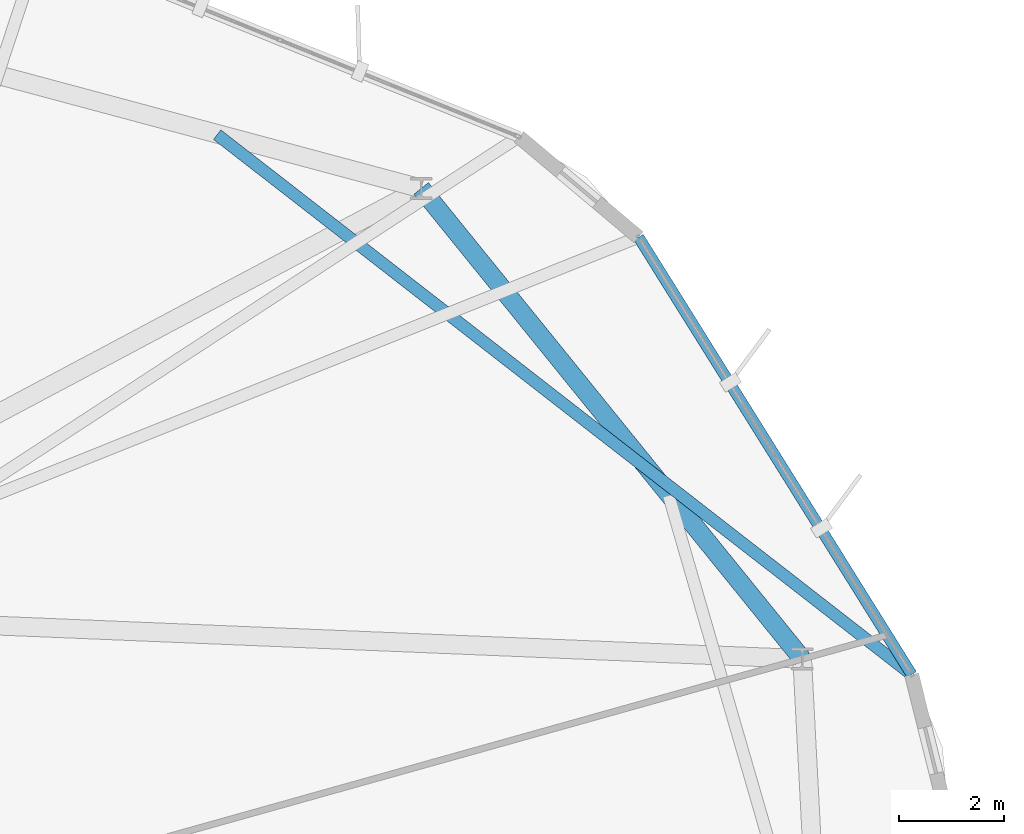
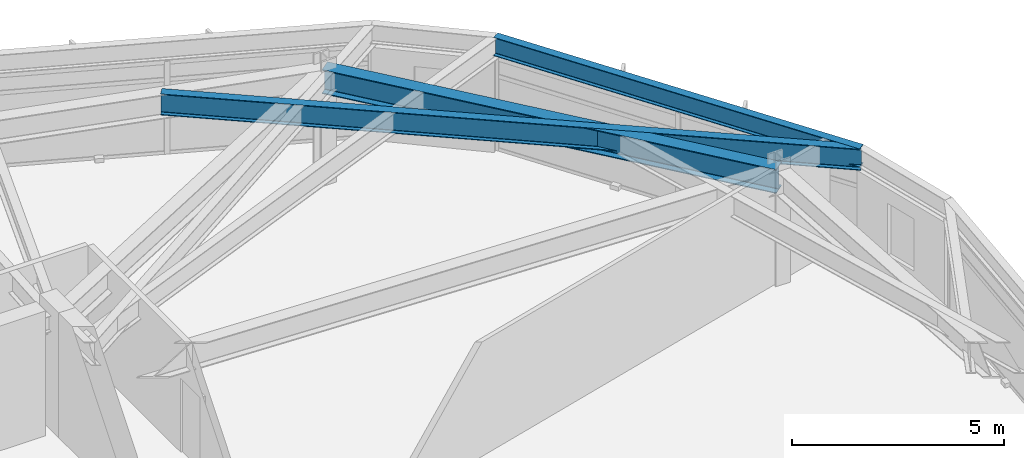
# One storey, part 15 of 23: 3 beams.
"""IFC4 building model written with IfcOpenShell, lengths in metres."""

import ifcopenshell
import ifcopenshell.guid

model = None  # the IFC model being written
_history = None  # IfcOwnerHistory: only IFC2X3 demands one
_inside = {}  # id of a spatial element -> (the spatial element, [elements in it])
_under = {}  # id of a project, library or spatial element -> (it, [spatial elements below it])
_declared = {}  # id of a project -> (the project, [libraries it declares])
_typed = {}  # id of a type object -> (the type object, [elements of that type])
_made_of = {}  # id of a material, layer set ... -> (it, [elements and type objects made of it])


def new_model(schema):
    """Start an empty IFC model of exactly this schema.

    Asked for "IFC4X3", IfcOpenShell would pick the latest addendum, in which some entities
    have other attributes; the version numbers below select the first issue.
    IFC2X3 requires an IfcOwnerHistory on every rooted entity: one is made here for all.
    """
    global model, _history
    if schema == "IFC4X3":
        model = ifcopenshell.file(schema_version=(4, 3, 0, 0))
    else:
        model = ifcopenshell.file(schema=schema)
    _inside.clear()
    _under.clear()
    _declared.clear()
    _typed.clear()
    _made_of.clear()
    _history = None
    if model.schema == "IFC2X3":
        org = make("IfcOrganization", Name="unknown")
        user = make(
            "IfcPersonAndOrganization",
            ThePerson=make("IfcPerson", FamilyName="unknown"),
            TheOrganization=org,
        )
        app = make(
            "IfcApplication",
            ApplicationDeveloper=org,
            Version="unknown",
            ApplicationFullName="unknown",
            ApplicationIdentifier="unknown",
        )
        _history = make(
            "IfcOwnerHistory",
            OwningUser=user,
            OwningApplication=app,
            ChangeAction="ADDED",
            CreationDate=0,
        )
    return model


def make(cls, **values):
    """One entity of the class cls with the attributes given. An attribute that is None is left unset."""
    return model.create_entity(
        cls, **{name: value for name, value in values.items() if value is not None}
    )


def rooted(cls, **values):
    """An entity with a GlobalId (a new one), such as an element, a storey or a relation."""
    return make(cls, GlobalId=ifcopenshell.guid.new(), OwnerHistory=_history, **values)


def si_unit(unit_type, name, prefix=None):
    """IfcSIUnit, for example si_unit("LENGTHUNIT", "METRE", prefix="MILLI")."""
    return make("IfcSIUnit", UnitType=unit_type, Prefix=prefix, Name=name)


def assignment(units):
    """IfcUnitAssignment: the units of a project."""
    return None if units is None else make("IfcUnitAssignment", Units=units)


def point(xyz):
    """IfcCartesianPoint."""
    return None if xyz is None else make("IfcCartesianPoint", Coordinates=xyz)


def direction(xyz):
    """IfcDirection."""
    return None if xyz is None else make("IfcDirection", DirectionRatios=xyz)


def frame(location, z_axis=None, x_axis=None):
    """IfcAxis2Placement3D, a coordinate frame: its origin and axes. An axis left out is left unset."""
    return make(
        "IfcAxis2Placement3D",
        Location=point(location),
        Axis=direction(z_axis),
        RefDirection=direction(x_axis),
    )


def frame_2d(location, x_axis=None):
    """IfcAxis2Placement2D, a coordinate frame in the plane: its origin and x axis."""
    return make(
        "IfcAxis2Placement2D", Location=point(location), RefDirection=direction(x_axis)
    )


def origin():
    """The frame at (0, 0, 0) with its axes left unset."""
    return frame((0.0, 0.0, 0.0))


def origin_2d():
    """The frame at (0, 0) in the plane with its x axis left unset."""
    return frame_2d((0.0, 0.0))


def place(relative_to, where):
    """IfcLocalPlacement: puts the frame where relative to a parent placement (None: the world)."""
    return make(
        "IfcLocalPlacement", PlacementRelTo=relative_to, RelativePlacement=where
    )


def context(
    kind, dimensions, precision=None, world=None, true_north=None, identifier=None
):
    """IfcGeometricRepresentationContext, for example the 3D "Model" context."""
    return make(
        "IfcGeometricRepresentationContext",
        ContextIdentifier=identifier,
        ContextType=kind,
        CoordinateSpaceDimension=dimensions,
        Precision=precision,
        WorldCoordinateSystem=world,
        TrueNorth=true_north,
    )


def subcontext(parent, identifier, kind, view, scale=None):
    """IfcGeometricRepresentationSubContext, for example "Body" below "Model"."""
    return make(
        "IfcGeometricRepresentationSubContext",
        ContextIdentifier=identifier,
        ContextType=kind,
        ParentContext=parent,
        TargetScale=scale,
        TargetView=view,
    )


def project(units=None, contexts=None):
    """IfcProject with its units and contexts."""
    return rooted(
        "IfcProject",
        Name="project",
        RepresentationContexts=contexts,
        UnitsInContext=assignment(units),
    )


def spatial(cls, under=None, at=None, **own):
    """A site, building, storey or space (cls), placed at a placement, below another one or the project."""
    s = rooted(cls, ObjectPlacement=at, **own)
    if under is not None:
        _under.setdefault(under.id(), (under, []))[1].append(s)
    return s


def profile(cls, at=None, kind="AREA", **sizes):
    """A parametric profile (cls). Its sizes go by their IFC names, for example OverallWidth=200.0."""
    return make(cls, ProfileType=kind, Position=at, **sizes)


def i_section(**sizes):
    """IfcIShapeProfileDef."""
    return profile("IfcIShapeProfileDef", **sizes)


def extrude(swept, where, along, depth):
    """IfcExtrudedAreaSolid: the profile swept, set in the frame where, extruded along a direction by depth."""
    return make(
        "IfcExtrudedAreaSolid",
        SweptArea=swept,
        Position=where,
        ExtrudedDirection=direction(along),
        Depth=depth,
    )


def shape(context_of_items, identifier, shape_type, items):
    """IfcShapeRepresentation: the items that make up one representation, for example the "Body"."""
    return make(
        "IfcShapeRepresentation",
        ContextOfItems=context_of_items,
        RepresentationIdentifier=identifier,
        RepresentationType=shape_type,
        Items=items,
    )


def material(Name=None, Category=None):
    """IfcMaterial."""
    return make("IfcMaterial", Name=Name, Category=Category)


def material_profile(
    of_material, cross_section, Name=None, Category=None, Priority=None
):
    """IfcMaterialProfile: a cross section and its material."""
    return make(
        "IfcMaterialProfile",
        Name=Name,
        Material=of_material,
        Profile=cross_section,
        Priority=Priority,
        Category=Category,
    )


def profile_set(profiles, Name=None, composite=None):
    """IfcMaterialProfileSet."""
    return make(
        "IfcMaterialProfileSet",
        Name=Name,
        MaterialProfiles=profiles,
        CompositeProfile=composite,
    )


def made_of(thing, what):
    """Note that an element or type object is made of a material, layer set ...; save() writes the relation."""
    if what is not None:
        _made_of.setdefault(what.id(), (what, []))[1].append(thing)
    return thing


def type_object(cls, material=None, **own):
    """A type object (cls), such as IfcWallType, which elements share."""
    return made_of(rooted(cls, **own), material)


def element(
    cls,
    number,
    at=None,
    inside=None,
    cuts=None,
    type_object=None,
    material=None,
    context=None,
    identifier="Body",
    shape_type=None,
    held_by="IfcProductDefinitionShape",
    body=None,
    shapes=None,
    **own,
):
    """One element of the class cls, such as IfcWall. Its Tag is "e" and its number.

    at: its placement. inside: the storey or other place that contains it. cuts: it is an
    opening in that element (IfcRelVoidsElement). A single representation is given by context,
    identifier, shape_type and body (its items); several are given by shapes. held_by: the class
    of the entity that holds the representations. save() writes the other relations.
    """
    e = rooted(cls, Tag="e%d" % number, ObjectPlacement=at, **own)
    if body is not None:
        shapes = [shape(context, identifier, shape_type, body)]
    if shapes is not None:
        e.Representation = make(held_by, Representations=shapes)
    if inside is not None:
        _inside.setdefault(inside.id(), (inside, []))[1].append(e)
    if cuts is not None:
        rooted(
            "IfcRelVoidsElement", RelatingBuildingElement=cuts, RelatedOpeningElement=e
        )
    if type_object is not None:
        _typed.setdefault(type_object.id(), (type_object, []))[1].append(e)
    return made_of(e, material)


def aggregate(whole, parts):
    """IfcRelAggregates: a whole, such as a stair, and the parts it consists of."""
    return rooted("IfcRelAggregates", RelatingObject=whole, RelatedObjects=parts)


def save(model, path):
    """Write the relations noted so far, then the file.

    IfcRelAggregates (storeys below a building ...), IfcRelContainedInSpatialStructure (elements
    in a storey), IfcRelDefinesByType, IfcRelAssociatesMaterial and IfcRelDeclares: one each for
    every whole, place, type object, material and project.
    """
    for whole, parts in _under.values():
        aggregate(whole, parts)
    for where, things in _inside.values():
        rooted(
            "IfcRelContainedInSpatialStructure",
            RelatedElements=things,
            RelatingStructure=where,
        )
    for kind, things in _typed.values():
        rooted("IfcRelDefinesByType", RelatedObjects=things, RelatingType=kind)
    for what, things in _made_of.values():
        rooted("IfcRelAssociatesMaterial", RelatedObjects=things, RelatingMaterial=what)
    for by, libraries in _declared.values():
        rooted("IfcRelDeclares", RelatingContext=by, RelatedDefinitions=libraries)
    model.write(path)


model = new_model("IFC4")

# Units and contexts
model_context = context("Model", 3, precision=1e-05, world=origin(), true_north=direction((0.0, 1.0)))
body_context = subcontext(model_context, "Body", "Model", "MODEL_VIEW")
ifc_project = project(units=[si_unit("LENGTHUNIT", "METRE"), si_unit("AREAUNIT", "SQUARE_METRE"), si_unit("VOLUMEUNIT", "CUBIC_METRE"), si_unit("PLANEANGLEUNIT", "RADIAN"), si_unit("MASSUNIT", "GRAM", prefix="KILO")], contexts=[model_context])

# Site, building, storey
site_placement = place(None, origin())
site = spatial("IfcSite", under=ifc_project, at=site_placement, CompositionType="ELEMENT")
building_placement = place(site_placement, origin())
building = spatial("IfcBuilding", under=site, at=building_placement, Name="Soratama Intermodal Tower", CompositionType="ELEMENT")
storey_placement = place(building_placement, frame((0.0, 0.0, 215.800048828125)))
storey = spatial("IfcBuildingStorey", under=building, at=storey_placement, Name="L54", CompositionType="ELEMENT", Elevation=215.800048828125)

# Beams
ifc_material_1 = material(Name="Structural steel ASTM A992 Grade 50", Category="steel")
ifc_material_profile_1 = material_profile(ifc_material_1, i_section(OverallWidth=0.35498046875, OverallDepth=0.695068359375, WebThickness=0.015380859375, FlangeThickness=0.02490234375, FilletRadius=0.01611328125, at=origin_2d()), Name="W27X146")
ifc_profile_set_1 = profile_set([ifc_material_profile_1], Name="Structural steel ASTM A992 Grade 50")
beam_type_1 = type_object("IfcBeamType", Name="BM-RING-W27X146", PredefinedType="BEAM", material=ifc_profile_set_1)
beam_1_placement = place(storey_placement, frame((62.364990234375, 31.666015625, 2.952392578125), z_axis=(-0.629384551156, 0.777094001242, 0.0), x_axis=(-0.777094001242, -0.629384551156, 0.0)))
element("IfcBeam", 1, at=beam_1_placement, inside=storey, type_object=beam_type_1, Name="BM-L54-RING-01", PredefinedType="BEAM", context=body_context, shape_type="SweptSolid", body=[
    extrude(i_section(OverallWidth=0.35498046875, OverallDepth=0.695068359375, WebThickness=0.015380859375, FlangeThickness=0.02490234375, FilletRadius=0.01611328125, at=origin_2d()), origin(), (0.0, 0.0, 1.0), 11.49560546875),
])
ifc_material_2 = material(Name="Structural steel ASTM A992 Grade 50", Category="steel")
ifc_material_profile_2 = material_profile(ifc_material_2, i_section(OverallWidth=0.2099609375, OverallDepth=0.537109375, WebThickness=0.010986328125, FlangeThickness=0.017333984375, FilletRadius=0.012939453125, at=origin_2d()), Name="W21X68")
ifc_profile_set_2 = profile_set([ifc_material_profile_2], Name="Structural steel ASTM A992 Grade 50")
beam_type_2 = type_object("IfcBeamType", Name="BM-SPN-W21X68", PredefinedType="SPANDREL", material=ifc_profile_set_2)
beam_2_placement = place(storey_placement, frame((64.444091796875, 31.368896484375, 3.031494140625), z_axis=(-0.529653738581, 0.84821395721, 0.0), x_axis=(-0.84821395721, -0.529653738581, 0.0)))
element("IfcBeam", 2, at=beam_2_placement, inside=storey, type_object=beam_type_2, Name="BS-L54-F10", PredefinedType="SPANDREL", context=body_context, shape_type="SweptSolid", body=[
    extrude(i_section(OverallWidth=0.2099609375, OverallDepth=0.537109375, WebThickness=0.010986328125, FlangeThickness=0.017333984375, FilletRadius=0.012939453125, at=origin_2d()), origin(), (0.0, 0.0, 1.0), 9.791259765625),
])
ifc_material_3 = material(Name="Structural steel ASTM A992 Grade 50", Category="steel")
ifc_material_profile_3 = material_profile(ifc_material_3, i_section(OverallWidth=0.22900390625, OverallDepth=0.612060546875, WebThickness=0.011962890625, FlangeThickness=0.01953125, FilletRadius=0.012939453125, at=origin_2d()), Name="W24X84")
ifc_profile_set_3 = profile_set([ifc_material_profile_3], Name="Structural steel ASTM A992 Grade 50")
beam_type_3 = type_object("IfcBeamType", Name="BM-TIE-W24X84", PredefinedType="BEAM", material=ifc_profile_set_3)
beam_3_placement = place(storey_placement, frame((51.257080078125, 41.62109375, 2.993896484375), z_axis=(0.789478911692, -0.613777686131, 0.0), x_axis=(0.613777686131, 0.789478911692, 0.0)))
element("IfcBeam", 3, at=beam_3_placement, inside=storey, type_object=beam_type_3, Name="BM-L54-TIE0-10", PredefinedType="BEAM", context=body_context, shape_type="SweptSolid", body=[
    extrude(i_section(OverallWidth=0.22900390625, OverallDepth=0.612060546875, WebThickness=0.011962890625, FlangeThickness=0.01953125, FilletRadius=0.012939453125, at=origin_2d()), origin(), (0.0, 0.0, 1.0), 16.703369140625),
])

save(model, "model.ifc")
